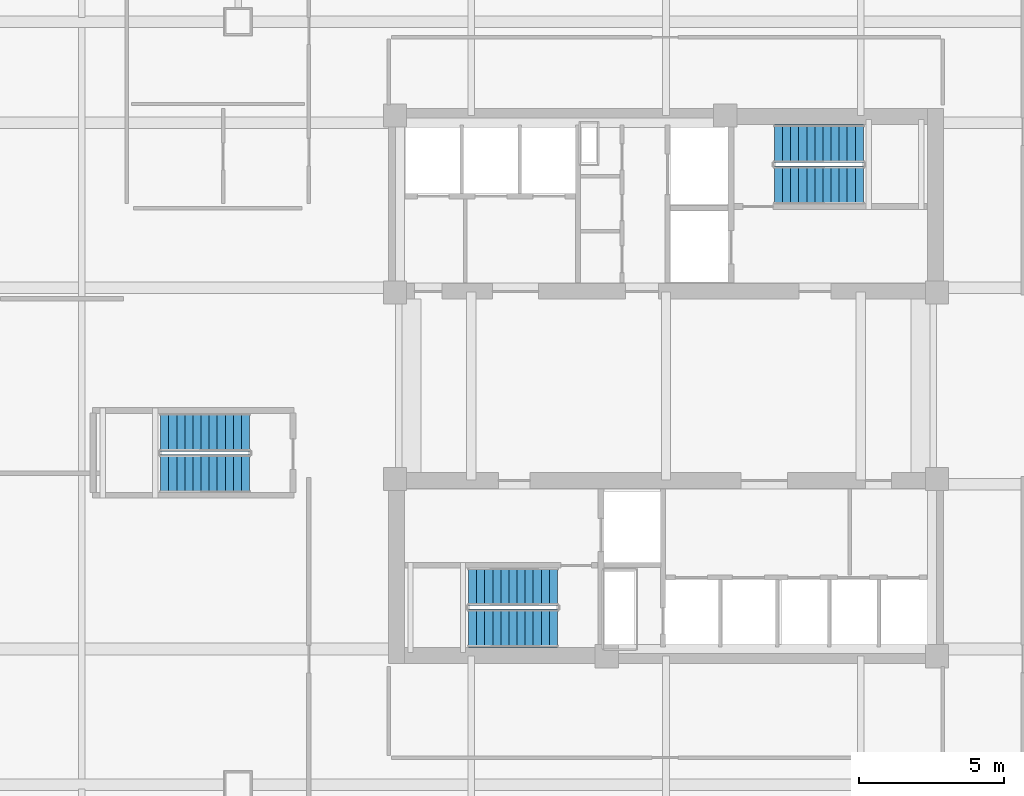
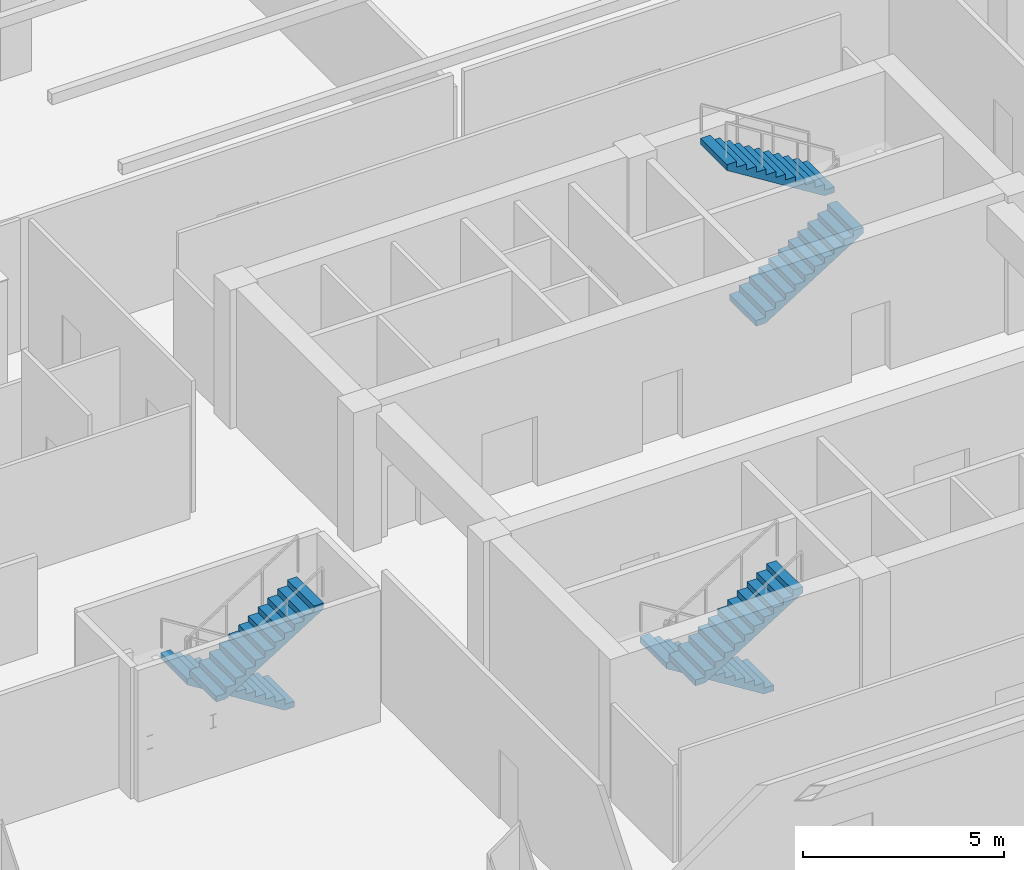
# One storey, part 15 of 21: 6 stair flights, 3 elements without a shape of their own.
"""IFC4 building model written with IfcOpenShell, lengths in metres."""

import ifcopenshell
import ifcopenshell.guid

model = None  # the IFC model being written
_history = None  # IfcOwnerHistory: only IFC2X3 demands one
_inside = {}  # id of a spatial element -> (the spatial element, [elements in it])
_under = {}  # id of a project, library or spatial element -> (it, [spatial elements below it])
_declared = {}  # id of a project -> (the project, [libraries it declares])
_typed = {}  # id of a type object -> (the type object, [elements of that type])
_made_of = {}  # id of a material, layer set ... -> (it, [elements and type objects made of it])


def new_model(schema):
    """Start an empty IFC model of exactly this schema.

    Asked for "IFC4X3", IfcOpenShell would pick the latest addendum, in which some entities
    have other attributes; the version numbers below select the first issue.
    IFC2X3 requires an IfcOwnerHistory on every rooted entity: one is made here for all.
    """
    global model, _history
    if schema == "IFC4X3":
        model = ifcopenshell.file(schema_version=(4, 3, 0, 0))
    else:
        model = ifcopenshell.file(schema=schema)
    _inside.clear()
    _under.clear()
    _declared.clear()
    _typed.clear()
    _made_of.clear()
    _history = None
    if model.schema == "IFC2X3":
        org = make("IfcOrganization", Name="unknown")
        user = make(
            "IfcPersonAndOrganization",
            ThePerson=make("IfcPerson", FamilyName="unknown"),
            TheOrganization=org,
        )
        app = make(
            "IfcApplication",
            ApplicationDeveloper=org,
            Version="unknown",
            ApplicationFullName="unknown",
            ApplicationIdentifier="unknown",
        )
        _history = make(
            "IfcOwnerHistory",
            OwningUser=user,
            OwningApplication=app,
            ChangeAction="ADDED",
            CreationDate=0,
        )
    return model


def make(cls, **values):
    """One entity of the class cls with the attributes given. An attribute that is None is left unset."""
    return model.create_entity(
        cls, **{name: value for name, value in values.items() if value is not None}
    )


def rooted(cls, **values):
    """An entity with a GlobalId (a new one), such as an element, a storey or a relation."""
    return make(cls, GlobalId=ifcopenshell.guid.new(), OwnerHistory=_history, **values)


def si_unit(unit_type, name, prefix=None):
    """IfcSIUnit, for example si_unit("LENGTHUNIT", "METRE", prefix="MILLI")."""
    return make("IfcSIUnit", UnitType=unit_type, Prefix=prefix, Name=name)


def assignment(units):
    """IfcUnitAssignment: the units of a project."""
    return None if units is None else make("IfcUnitAssignment", Units=units)


def point(xyz):
    """IfcCartesianPoint."""
    return None if xyz is None else make("IfcCartesianPoint", Coordinates=xyz)


def direction(xyz):
    """IfcDirection."""
    return None if xyz is None else make("IfcDirection", DirectionRatios=xyz)


def frame(location, z_axis=None, x_axis=None):
    """IfcAxis2Placement3D, a coordinate frame: its origin and axes. An axis left out is left unset."""
    return make(
        "IfcAxis2Placement3D",
        Location=point(location),
        Axis=direction(z_axis),
        RefDirection=direction(x_axis),
    )


def origin():
    """The frame at (0, 0, 0) with its axes left unset."""
    return frame((0.0, 0.0, 0.0))


def place(relative_to, where):
    """IfcLocalPlacement: puts the frame where relative to a parent placement (None: the world)."""
    return make(
        "IfcLocalPlacement", PlacementRelTo=relative_to, RelativePlacement=where
    )


def context(
    kind, dimensions, precision=None, world=None, true_north=None, identifier=None
):
    """IfcGeometricRepresentationContext, for example the 3D "Model" context."""
    return make(
        "IfcGeometricRepresentationContext",
        ContextIdentifier=identifier,
        ContextType=kind,
        CoordinateSpaceDimension=dimensions,
        Precision=precision,
        WorldCoordinateSystem=world,
        TrueNorth=true_north,
    )


def subcontext(parent, identifier, kind, view, scale=None):
    """IfcGeometricRepresentationSubContext, for example "Body" below "Model"."""
    return make(
        "IfcGeometricRepresentationSubContext",
        ContextIdentifier=identifier,
        ContextType=kind,
        ParentContext=parent,
        TargetScale=scale,
        TargetView=view,
    )


def project(units=None, contexts=None):
    """IfcProject with its units and contexts."""
    return rooted(
        "IfcProject",
        Name="project",
        RepresentationContexts=contexts,
        UnitsInContext=assignment(units),
    )


def spatial(cls, under=None, at=None, **own):
    """A site, building, storey or space (cls), placed at a placement, below another one or the project."""
    s = rooted(cls, ObjectPlacement=at, **own)
    if under is not None:
        _under.setdefault(under.id(), (under, []))[1].append(s)
    return s


def polyline(points):
    """IfcPolyline through the points."""
    return make("IfcPolyline", Points=[point(p) for p in points])


def outline(outer, holes=None, kind="AREA"):
    """IfcArbitraryClosedProfileDef: a profile drawn as a closed curve; with holes, ...WithVoids."""
    if holes is None:
        return make("IfcArbitraryClosedProfileDef", ProfileType=kind, OuterCurve=outer)
    return make(
        "IfcArbitraryProfileDefWithVoids",
        ProfileType=kind,
        OuterCurve=outer,
        InnerCurves=holes,
    )


def extrude(swept, where, along, depth):
    """IfcExtrudedAreaSolid: the profile swept, set in the frame where, extruded along a direction by depth."""
    return make(
        "IfcExtrudedAreaSolid",
        SweptArea=swept,
        Position=where,
        ExtrudedDirection=direction(along),
        Depth=depth,
    )


def shape(context_of_items, identifier, shape_type, items):
    """IfcShapeRepresentation: the items that make up one representation, for example the "Body"."""
    return make(
        "IfcShapeRepresentation",
        ContextOfItems=context_of_items,
        RepresentationIdentifier=identifier,
        RepresentationType=shape_type,
        Items=items,
    )


def material(Name=None, Category=None):
    """IfcMaterial."""
    return make("IfcMaterial", Name=Name, Category=Category)


def made_of(thing, what):
    """Note that an element or type object is made of a material, layer set ...; save() writes the relation."""
    if what is not None:
        _made_of.setdefault(what.id(), (what, []))[1].append(thing)
    return thing


def type_object(cls, material=None, **own):
    """A type object (cls), such as IfcWallType, which elements share."""
    return made_of(rooted(cls, **own), material)


def element(
    cls,
    number,
    at=None,
    inside=None,
    cuts=None,
    type_object=None,
    material=None,
    context=None,
    identifier="Body",
    shape_type=None,
    held_by="IfcProductDefinitionShape",
    body=None,
    shapes=None,
    **own,
):
    """One element of the class cls, such as IfcWall. Its Tag is "e" and its number.

    at: its placement. inside: the storey or other place that contains it. cuts: it is an
    opening in that element (IfcRelVoidsElement). A single representation is given by context,
    identifier, shape_type and body (its items); several are given by shapes. held_by: the class
    of the entity that holds the representations. save() writes the other relations.
    """
    e = rooted(cls, Tag="e%d" % number, ObjectPlacement=at, **own)
    if body is not None:
        shapes = [shape(context, identifier, shape_type, body)]
    if shapes is not None:
        e.Representation = make(held_by, Representations=shapes)
    if inside is not None:
        _inside.setdefault(inside.id(), (inside, []))[1].append(e)
    if cuts is not None:
        rooted(
            "IfcRelVoidsElement", RelatingBuildingElement=cuts, RelatedOpeningElement=e
        )
    if type_object is not None:
        _typed.setdefault(type_object.id(), (type_object, []))[1].append(e)
    return made_of(e, material)


def aggregate(whole, parts):
    """IfcRelAggregates: a whole, such as a stair, and the parts it consists of."""
    return rooted("IfcRelAggregates", RelatingObject=whole, RelatedObjects=parts)


def save(model, path):
    """Write the relations noted so far, then the file.

    IfcRelAggregates (storeys below a building ...), IfcRelContainedInSpatialStructure (elements
    in a storey), IfcRelDefinesByType, IfcRelAssociatesMaterial and IfcRelDeclares: one each for
    every whole, place, type object, material and project.
    """
    for whole, parts in _under.values():
        aggregate(whole, parts)
    for where, things in _inside.values():
        rooted(
            "IfcRelContainedInSpatialStructure",
            RelatedElements=things,
            RelatingStructure=where,
        )
    for kind, things in _typed.values():
        rooted("IfcRelDefinesByType", RelatedObjects=things, RelatingType=kind)
    for what, things in _made_of.values():
        rooted("IfcRelAssociatesMaterial", RelatedObjects=things, RelatingMaterial=what)
    for by, libraries in _declared.values():
        rooted("IfcRelDeclares", RelatingContext=by, RelatedDefinitions=libraries)
    model.write(path)


model = new_model("IFC4")

# Units and contexts
model_context = context("Model", 3, precision=1e-05, world=origin(), true_north=direction((0.0, 1.0)))
body_context = subcontext(model_context, "Body", "Model", "MODEL_VIEW")
ifc_project = project(units=[si_unit("LENGTHUNIT", "METRE"), si_unit("AREAUNIT", "SQUARE_METRE"), si_unit("VOLUMEUNIT", "CUBIC_METRE"), si_unit("PLANEANGLEUNIT", "RADIAN"), si_unit("MASSUNIT", "GRAM", prefix="KILO")], contexts=[model_context])

# Site, building, storey
site_placement = place(None, origin())
site = spatial("IfcSite", under=ifc_project, at=site_placement, CompositionType="ELEMENT")
building_placement = place(site_placement, origin())
building = spatial("IfcBuilding", under=site, at=building_placement, Name="Qhalaya Broadcast Tower", CompositionType="ELEMENT")
storey_placement = place(building_placement, frame((0.0, 0.0, 21.89990234375)))
storey = spatial("IfcBuildingStorey", under=building, at=storey_placement, Name="L05", CompositionType="ELEMENT", Elevation=21.89990234375)

# Stair, stair flights
ifc_material_1 = material(Name="Concrete C40/50", Category="concrete")
stair_type = type_object("IfcStairType", Name="Protected Dogleg Core Stair 4200", PredefinedType="TWO_STRAIGHT_RUN_STAIR", material=ifc_material_1)
stair_1_placement = place(storey_placement, origin())
stair_1 = element("IfcStair", 1, at=stair_1_placement, inside=storey, type_object=stair_type, Name="L05 North Core Exit Stair ST-1", PredefinedType="TWO_STRAIGHT_RUN_STAIR")
ifc_material_2 = material(Name="Precast Concrete C40/50", Category="concrete")
stair_flight_type = type_object("IfcStairFlightType", Name="Precast Concrete Stair Flight 4200", PredefinedType="STRAIGHT", material=ifc_material_2)
stair_flight_1_placement = place(storey_placement, frame((3.75, 7.5400390625, 0.0), z_axis=(0.0, 0.0, 1.0), x_axis=(1.0, 0.0, 0.0)))
stair_flight_1 = element("IfcStairFlight", 2, at=stair_flight_1_placement, type_object=stair_flight_type, Name="ST-1 flight 1", NumberOfRisers=12, NumberOfTreads=11, PredefinedType="STRAIGHT", RiserHeight=0.175, TreadLength=0.28, context=body_context, shape_type="SweptSolid", body=[
    extrude(outline(polyline([(0.0, 0.0), (0.0, 0.175048828125), (0.280029296875, 0.175048828125), (0.280029296875, 0.35009765625), (0.56005859375, 0.35009765625), (0.56005859375, 0.52490234375), (0.840087890625, 0.52490234375), (0.840087890625, 0.699951171875), (1.1201171875, 0.699951171875), (1.1201171875, 0.875), (1.39990234375, 0.875), (1.39990234375, 1.050048828125), (1.679931640625, 1.050048828125), (1.679931640625, 1.22509765625), (1.9599609375, 1.22509765625), (1.9599609375, 1.39990234375), (2.239990234375, 1.39990234375), (2.239990234375, 1.574951171875), (2.52001953125, 1.574951171875), (2.52001953125, 1.75), (2.800048828125, 1.75), (2.800048828125, 1.925048828125), (3.080078125, 1.925048828125), (3.080078125, 2.10009765625), (3.080078125, 1.748291015625), (0.28271484375, 0.0), (0.0, 0.0)])), frame((0.0, 0.66015625, 0.0), z_axis=(0.0, -1.0, 0.0), x_axis=(1.0, 0.0, 0.0)), (0.0, 0.0, 1.0), 1.320068359375),
])
stair_flight_2_placement = place(storey_placement, frame((6.830078125, 8.97998046875, 2.10009765625), z_axis=(0.0, 0.0, 1.0), x_axis=(-1.0, 0.0, 0.0)))
stair_flight_2 = element("IfcStairFlight", 3, at=stair_flight_2_placement, type_object=stair_flight_type, Name="ST-1 flight 2", NumberOfRisers=12, NumberOfTreads=11, PredefinedType="STRAIGHT", RiserHeight=0.175, TreadLength=0.28, context=body_context, shape_type="SweptSolid", body=[
    extrude(outline(polyline([(0.0, 0.0), (0.0, 0.175048828125), (0.280029296875, 0.175048828125), (0.280029296875, 0.35009765625), (0.56005859375, 0.35009765625), (0.56005859375, 0.52490234375), (0.840087890625, 0.52490234375), (0.840087890625, 0.699951171875), (1.1201171875, 0.699951171875), (1.1201171875, 0.875), (1.39990234375, 0.875), (1.39990234375, 1.050048828125), (1.679931640625, 1.050048828125), (1.679931640625, 1.22509765625), (1.9599609375, 1.22509765625), (1.9599609375, 1.39990234375), (2.239990234375, 1.39990234375), (2.239990234375, 1.574951171875), (2.52001953125, 1.574951171875), (2.52001953125, 1.75), (2.800048828125, 1.75), (2.800048828125, 1.925048828125), (3.080078125, 1.925048828125), (3.080078125, 2.10009765625), (3.080078125, 1.748291015625), (0.28271484375, 0.0), (0.0, 0.0)])), frame((0.0, 0.66015625, 0.0), z_axis=(0.0, -1.0, 0.0), x_axis=(1.0, 0.0, 0.0)), (0.0, 0.0, 1.0), 1.320068359375),
])
aggregate(stair_1, [stair_flight_1, stair_flight_2])

stair_2_placement = place(storey_placement, origin())
stair_2 = element("IfcStair", 4, at=stair_2_placement, inside=storey, type_object=stair_type, Name="L05 South Core Exit Stair ST-2", PredefinedType="TWO_STRAIGHT_RUN_STAIR")
stair_flight_3_placement = place(storey_placement, frame((-3.75, -6.340087890625, 0.0), z_axis=(0.0, 0.0, 1.0), x_axis=(-1.0, 0.0, 0.0)))
stair_flight_3 = element("IfcStairFlight", 5, at=stair_flight_3_placement, type_object=stair_flight_type, Name="ST-2 flight 1", NumberOfRisers=12, NumberOfTreads=11, PredefinedType="STRAIGHT", RiserHeight=0.175, TreadLength=0.28, context=body_context, shape_type="SweptSolid", body=[
    extrude(outline(polyline([(0.0, 0.0), (0.0, 0.175048828125), (0.280029296875, 0.175048828125), (0.280029296875, 0.35009765625), (0.56005859375, 0.35009765625), (0.56005859375, 0.52490234375), (0.840087890625, 0.52490234375), (0.840087890625, 0.699951171875), (1.1201171875, 0.699951171875), (1.1201171875, 0.875), (1.39990234375, 0.875), (1.39990234375, 1.050048828125), (1.679931640625, 1.050048828125), (1.679931640625, 1.22509765625), (1.9599609375, 1.22509765625), (1.9599609375, 1.39990234375), (2.239990234375, 1.39990234375), (2.239990234375, 1.574951171875), (2.52001953125, 1.574951171875), (2.52001953125, 1.75), (2.800048828125, 1.75), (2.800048828125, 1.925048828125), (3.080078125, 1.925048828125), (3.080078125, 2.10009765625), (3.080078125, 1.748291015625), (0.28271484375, 0.0), (0.0, 0.0)])), frame((0.0, 0.66015625, 0.0), z_axis=(0.0, -1.0, 0.0), x_axis=(1.0, 0.0, 0.0)), (0.0, 0.0, 1.0), 1.320068359375),
])
stair_flight_4_placement = place(storey_placement, frame((-6.830078125, -7.780029296875, 2.10009765625), z_axis=(0.0, 0.0, 1.0), x_axis=(1.0, 0.0, 0.0)))
stair_flight_4 = element("IfcStairFlight", 6, at=stair_flight_4_placement, type_object=stair_flight_type, Name="ST-2 flight 2", NumberOfRisers=12, NumberOfTreads=11, PredefinedType="STRAIGHT", RiserHeight=0.175, TreadLength=0.28, context=body_context, shape_type="SweptSolid", body=[
    extrude(outline(polyline([(0.0, 0.0), (0.0, 0.175048828125), (0.280029296875, 0.175048828125), (0.280029296875, 0.35009765625), (0.56005859375, 0.35009765625), (0.56005859375, 0.52490234375), (0.840087890625, 0.52490234375), (0.840087890625, 0.699951171875), (1.1201171875, 0.699951171875), (1.1201171875, 0.875), (1.39990234375, 0.875), (1.39990234375, 1.050048828125), (1.679931640625, 1.050048828125), (1.679931640625, 1.22509765625), (1.9599609375, 1.22509765625), (1.9599609375, 1.39990234375), (2.239990234375, 1.39990234375), (2.239990234375, 1.574951171875), (2.52001953125, 1.574951171875), (2.52001953125, 1.75), (2.800048828125, 1.75), (2.800048828125, 1.925048828125), (3.080078125, 1.925048828125), (3.080078125, 2.10009765625), (3.080078125, 1.748291015625), (0.28271484375, 0.0), (0.0, 0.0)])), frame((0.0, 0.66015625, 0.0), z_axis=(0.0, -1.0, 0.0), x_axis=(1.0, 0.0, 0.0)), (0.0, 0.0, 1.0), 1.320068359375),
])
aggregate(stair_2, [stair_flight_3, stair_flight_4])

stair_3_placement = place(storey_placement, origin())
stair_3 = element("IfcStair", 7, at=stair_3_placement, inside=storey, type_object=stair_type, Name="L05 Podium West Escape Stair ST-P1", PredefinedType="TWO_STRAIGHT_RUN_STAIR")
stair_flight_5_placement = place(storey_placement, frame((-14.39990234375, -1.0, 0.0), z_axis=(0.0, 0.0, 1.0), x_axis=(-1.0, 0.0, 0.0)))
stair_flight_5 = element("IfcStairFlight", 8, at=stair_flight_5_placement, type_object=stair_flight_type, Name="ST-P1 flight 1", NumberOfRisers=12, NumberOfTreads=11, PredefinedType="STRAIGHT", RiserHeight=0.175, TreadLength=0.28, context=body_context, shape_type="SweptSolid", body=[
    extrude(outline(polyline([(0.0, 0.0), (0.0, 0.175048828125), (0.280029296875, 0.175048828125), (0.280029296875, 0.35009765625), (0.56005859375, 0.35009765625), (0.56005859375, 0.52490234375), (0.840087890625, 0.52490234375), (0.840087890625, 0.699951171875), (1.1201171875, 0.699951171875), (1.1201171875, 0.875), (1.39990234375, 0.875), (1.39990234375, 1.050048828125), (1.679931640625, 1.050048828125), (1.679931640625, 1.22509765625), (1.9599609375, 1.22509765625), (1.9599609375, 1.39990234375), (2.239990234375, 1.39990234375), (2.239990234375, 1.574951171875), (2.52001953125, 1.574951171875), (2.52001953125, 1.75), (2.800048828125, 1.75), (2.800048828125, 1.925048828125), (3.080078125, 1.925048828125), (3.080078125, 2.10009765625), (3.080078125, 1.748291015625), (0.28271484375, 0.0), (0.0, 0.0)])), frame((0.0, 0.66015625, 0.0), z_axis=(0.0, -1.0, 0.0), x_axis=(1.0, 0.0, 0.0)), (0.0, 0.0, 1.0), 1.320068359375),
])
stair_flight_6_placement = place(storey_placement, frame((-17.47998046875, -2.43994140625, 2.10009765625), z_axis=(0.0, 0.0, 1.0), x_axis=(1.0, 0.0, 0.0)))
stair_flight_6 = element("IfcStairFlight", 9, at=stair_flight_6_placement, type_object=stair_flight_type, Name="ST-P1 flight 2", NumberOfRisers=12, NumberOfTreads=11, PredefinedType="STRAIGHT", RiserHeight=0.175, TreadLength=0.28, context=body_context, shape_type="SweptSolid", body=[
    extrude(outline(polyline([(0.0, 0.0), (0.0, 0.175048828125), (0.280029296875, 0.175048828125), (0.280029296875, 0.35009765625), (0.56005859375, 0.35009765625), (0.56005859375, 0.52490234375), (0.840087890625, 0.52490234375), (0.840087890625, 0.699951171875), (1.1201171875, 0.699951171875), (1.1201171875, 0.875), (1.39990234375, 0.875), (1.39990234375, 1.050048828125), (1.679931640625, 1.050048828125), (1.679931640625, 1.22509765625), (1.9599609375, 1.22509765625), (1.9599609375, 1.39990234375), (2.239990234375, 1.39990234375), (2.239990234375, 1.574951171875), (2.52001953125, 1.574951171875), (2.52001953125, 1.75), (2.800048828125, 1.75), (2.800048828125, 1.925048828125), (3.080078125, 1.925048828125), (3.080078125, 2.10009765625), (3.080078125, 1.748291015625), (0.28271484375, 0.0), (0.0, 0.0)])), frame((0.0, 0.66015625, 0.0), z_axis=(0.0, -1.0, 0.0), x_axis=(1.0, 0.0, 0.0)), (0.0, 0.0, 1.0), 1.320068359375),
])
aggregate(stair_3, [stair_flight_5, stair_flight_6])

save(model, "model.ifc")
